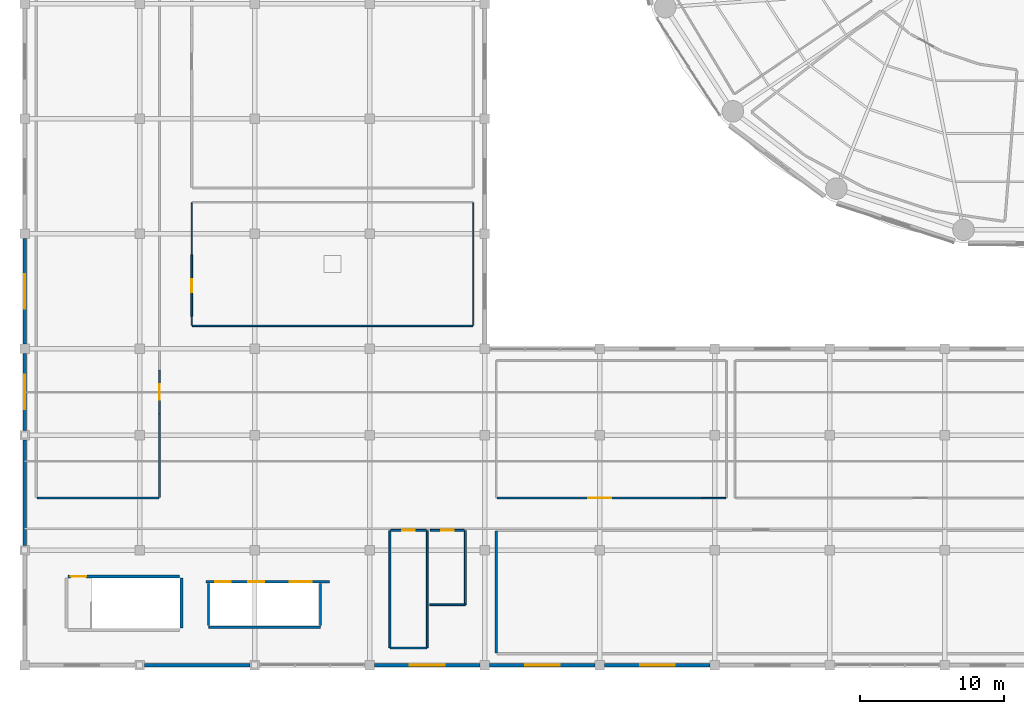
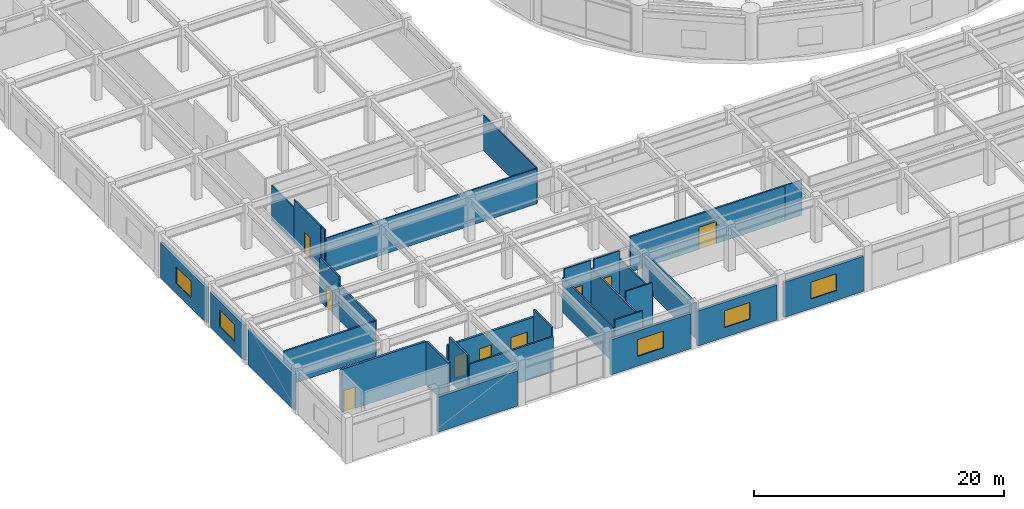
# One storey, part 34 of 46: 31 walls, 9 doors, 5 windows, 14 openings.
"""IFC4 building model written with IfcOpenShell, lengths in metres."""

from ifc_helpers import new_model, si_unit, direction, frame, frame_2d, origin, place, context, subcontext, project, spatial, rectangle, extrude, material, layer, layer_set, type_object, element, fill, save


model = new_model("IFC4")

# Units and contexts
model_context = context("Model", 3, precision=1e-05, world=origin(), true_north=direction((0.0, 1.0)))
body_context = subcontext(model_context, "Body", "Model", "MODEL_VIEW")
ifc_project = project(units=[si_unit("LENGTHUNIT", "METRE"), si_unit("AREAUNIT", "SQUARE_METRE"), si_unit("VOLUMEUNIT", "CUBIC_METRE"), si_unit("PLANEANGLEUNIT", "RADIAN"), si_unit("MASSUNIT", "GRAM", prefix="KILO")], contexts=[model_context])

# Site, building, storey
site_placement = place(None, origin())
site = spatial("IfcSite", under=ifc_project, at=site_placement, CompositionType="ELEMENT")
building_placement = place(site_placement, origin())
building = spatial("IfcBuilding", under=site, at=building_placement, Name="Kelanora Arch Commons", CompositionType="ELEMENT")
storey_placement = place(building_placement, frame((0.0, 0.0, 18.0)))
storey = spatial("IfcBuildingStorey", under=building, at=storey_placement, Name="L04", CompositionType="ELEMENT", Elevation=18.0)

# Walls
ifc_material_1 = material(Name="Autoclaved aerated concrete blockwork with fire plaster", Category="masonry")
ifc_layer_1 = layer(ifc_material_1, 0.14990234375)
ifc_layer_set_1 = layer_set([ifc_layer_1], Name="Autoclaved aerated concrete blockwork with fire plaster")
wall_type_1 = type_object("IfcWallType", Name="W-COMP-150", PredefinedType="PARTITIONING", material=ifc_layer_set_1)
wall_1_placement = place(storey_placement, frame((16.780029296875, 6.639892578125, 0.0), z_axis=(0.0, 0.0, 1.0), x_axis=(1.0, 0.0, 0.0)))
element("IfcWall", 1, at=wall_1_placement, inside=storey, type_object=wall_type_1, Name="Market South Lift Bank Back Wall L04", PredefinedType="PARTITIONING", context=body_context, shape_type="SweptSolid", body=[
    extrude(rectangle(XDim=7.7900390625, YDim=0.14990234375, at=frame_2d((3.89501953125, 0.0))), origin(), (0.0, 0.0, 1.0), 3.445068359375),
])
for number, where, z_axis, x_axis, name in (
    (2, (16.780029296875, 6.760009765625, 0.0), (0.0, 0.0, 1.0), (0.0, 1.0, 0.0), "Market South Lift Bank West Wall L04"),
    (3, (24.570068359375, 6.760009765625, 0.0), (0.0, 0.0, 1.0), (0.0, 1.0, 0.0), "Market South Lift Bank East Wall L04"),
):
    element("IfcWall", number, at=place(storey_placement, frame(where, z_axis=z_axis, x_axis=x_axis)), inside=storey, type_object=wall_type_1, Name=name, PredefinedType="PARTITIONING", context=body_context, shape_type="SweptSolid", body=[
        extrude(rectangle(XDim=2.909912109375, YDim=0.14990234375, at=frame_2d((1.455078125, 0.0))), origin(), (0.0, 0.0, 1.0), 4.25),
    ])

# Wall, opening, door
wall_2_placement = place(storey_placement, frame((36.860107421875, 15.6201171875, 0.0), z_axis=(0.0, 0.0, 1.0), x_axis=(1.0, 0.0, 0.0)))
wall_2 = element("IfcWall", 4, at=wall_2_placement, inside=storey, type_object=wall_type_1, Name="Civic Exhibition and Lecture Hall Entry Partition", PredefinedType="PARTITIONING", context=body_context, shape_type="SweptSolid", body=[
    extrude(rectangle(XDim=14.27978515625, YDim=0.14990234375, at=frame_2d((7.139892578125, 0.0))), origin(), (0.0, 0.0, 1.0), 3.445068359375),
])
opening_1_placement = place(wall_2_placement, frame((6.340087890625, 0.0, 0.0)))
opening_1 = element("IfcOpeningElement", 5, at=opening_1_placement, cuts=wall_2, Name="Opening D-MK1", PredefinedType="OPENING", context=body_context, shape_type="SweptSolid", body=[
    extrude(rectangle(XDim=1.60009765625, YDim=2.14990234375, at=frame_2d((0.800048828125, 1.074951171875))), frame((0.0, 0.0849609375, 0.0), z_axis=(0.0, -1.0, 0.0), x_axis=(1.0, 0.0, 0.0)), (0.0, 0.0, 1.0), 0.169921875),
])
ifc_material_2 = material(Name="Glazed timber double market hall fire door", Category="wood")
door_type_1 = type_object("IfcDoorType", Name="D-MKT-160", OperationType="NOTDEFINED", PredefinedType="DOOR", material=ifc_material_2)
door_1_placement = place(opening_1_placement, origin())
door_1 = element("IfcDoor", 6, at=door_1_placement, inside=storey, type_object=door_type_1, Name="Civic Exhibition and Lecture Hall Door", OperationType="SINGLE_SWING_RIGHT", OverallHeight=2.14990234375, OverallWidth=1.60009765625, PredefinedType="DOOR", context=body_context, shape_type="SweptSolid", body=[
    extrude(rectangle(XDim=1.60009765625, YDim=2.14990234375, at=frame_2d((0.800048828125, 1.074951171875))), frame((0.0, 0.02490234375, 0.0), z_axis=(0.0, -1.0, 0.0), x_axis=(1.0, 0.0, 0.0)), (0.0, 0.0, 1.0), 0.050048828125),
])
fill(opening_1, door_1)

wall_3_placement = place(storey_placement, frame((13.3798828125, 21.4599609375, 0.0), z_axis=(0.0, 0.0, 1.0), x_axis=(0.0, 1.0, 0.0)))
wall_3 = element("IfcWall", 7, at=wall_3_placement, inside=storey, type_object=wall_type_1, Name="Market West Mechanical Plant and Store L04 Entry Partition", PredefinedType="PARTITIONING", context=body_context, shape_type="SweptSolid", body=[
    extrude(rectangle(XDim=3.080078125, YDim=0.14990234375, at=frame_2d((1.5400390625, 0.0))), origin(), (0.0, 0.0, 1.0), 4.22998046875),
])
opening_2_placement = place(wall_3_placement, frame((1.0, 0.0, 0.0)))
opening_2 = element("IfcOpeningElement", 8, at=opening_2_placement, cuts=wall_3, Name="Opening D-PLT1", PredefinedType="OPENING", context=body_context, shape_type="SweptSolid", body=[
    extrude(rectangle(XDim=1.080078125, YDim=2.10009765625, at=frame_2d((0.5400390625, 1.050048828125))), frame((0.0, 0.0849609375, 0.0), z_axis=(0.0, -1.0, 0.0), x_axis=(1.0, 0.0, 0.0)), (0.0, 0.0, 1.0), 0.169921875),
])
ifc_material_3 = material(Name="Galvanised steel plant and riser fire door", Category="steel")
door_type_2 = type_object("IfcDoorType", Name="D-PLT-110", OperationType="NOTDEFINED", PredefinedType="DOOR", material=ifc_material_3)
door_2_placement = place(opening_2_placement, origin())
door_2 = element("IfcDoor", 9, at=door_2_placement, inside=storey, type_object=door_type_2, Name="Market West Mechanical Plant and Store L04 Door", OperationType="SINGLE_SWING_LEFT", OverallHeight=2.10009765625, OverallWidth=1.080078125, PredefinedType="DOOR", context=body_context, shape_type="SweptSolid", body=[
    extrude(rectangle(XDim=1.080078125, YDim=2.10009765625, at=frame_2d((0.5400390625, 1.050048828125))), frame((0.0, 0.02490234375, 0.0), z_axis=(0.0, -1.0, 0.0), x_axis=(1.0, 0.0, 0.0)), (0.0, 0.0, 1.0), 0.050048828125),
])
fill(opening_2, door_2)

# Walls
for number, where, z_axis, x_axis, name in (
    (10, (36.800048828125, 13.340087890625, 0.0), (0.0, 0.0, 1.0), (0.0, -1.0, 0.0), "Market South Archive and Cold Store L04 Enclosure Partition 4"),
    (11, (4.840087890625, 15.6201171875, 0.0), (0.0, 0.0, 1.0), (1.0, 0.0, 0.0), "Market West Mechanical Plant and Store L04 Enclosure Partition 1"),
):
    element("IfcWall", number, at=place(storey_placement, frame(where, z_axis=z_axis, x_axis=x_axis)), inside=storey, type_object=wall_type_1, Name=name, PredefinedType="PARTITIONING", context=body_context, shape_type="SweptSolid", body=[
        extrude(rectangle(XDim=8.5, YDim=0.14990234375, at=frame_2d((4.25, 0.0))), origin(), (0.0, 0.0, 1.0), 3.445068359375),
    ])
wall_4_placement = place(storey_placement, frame((13.3798828125, 15.659912109375, 0.0), z_axis=(0.0, 0.0, 1.0), x_axis=(0.0, 1.0, 0.0)))
element("IfcWall", 12, at=wall_4_placement, inside=storey, type_object=wall_type_1, Name="Market West Mechanical Plant and Store L04 Enclosure Partition 2", PredefinedType="PARTITIONING", context=body_context, shape_type="SweptSolid", body=[
    extrude(rectangle(XDim=5.800048828125, YDim=0.14990234375, at=frame_2d((2.89990234375, 0.0))), origin(), (0.0, 0.0, 1.0), 3.445068359375),
])
ifc_material_4 = material(Name="Precast concrete C40/50 with terracotta ceramic cladding", Category="masonry")
ifc_layer_2 = layer(ifc_material_4, 0.25)
ifc_layer_set_2 = layer_set([ifc_layer_2], Name="Precast concrete C40/50 with terracotta ceramic cladding")
wall_type_2 = type_object("IfcWallType", Name="W-EXT-MKT", PredefinedType="SOLIDWALL", material=ifc_layer_set_2)
wall_5_placement = place(storey_placement, frame((12.330078125, 4.0, 0.0), z_axis=(0.0, 0.0, 1.0), x_axis=(1.0, 0.0, 0.0)))
element("IfcWall", 13, at=wall_5_placement, inside=storey, type_object=wall_type_2, Name="Market Hall Exterior Wall L04-01", PredefinedType="SOLIDWALL", context=body_context, shape_type="SweptSolid", body=[
    extrude(rectangle(XDim=7.33984375, YDim=0.25, at=frame_2d((3.669921875, 0.0))), origin(), (0.0, 0.0, 1.0), 3.43994140625),
])

# Wall, opening, window
wall_6_placement = place(storey_placement, frame((28.330078125, 4.0, 0.0), z_axis=(0.0, 0.0, 1.0), x_axis=(1.0, 0.0, 0.0)))
wall_6 = element("IfcWall", 14, at=wall_6_placement, inside=storey, type_object=wall_type_2, Name="Market Hall Exterior Wall L04-03", PredefinedType="SOLIDWALL", context=body_context, shape_type="SweptSolid", body=[
    extrude(rectangle(XDim=7.33984375, YDim=0.25, at=frame_2d((3.669921875, 0.0))), origin(), (0.0, 0.0, 1.0), 3.43994140625),
])
opening_3_placement = place(wall_6_placement, frame((2.469970703125, 0.0, 0.949951171875)))
opening_3 = element("IfcOpeningElement", 15, at=opening_3_placement, cuts=wall_6, Name="Opening WN-03", PredefinedType="OPENING", context=body_context, shape_type="SweptSolid", body=[
    extrude(rectangle(XDim=2.39990234375, YDim=1.64990234375, at=frame_2d((1.199951171875, 0.824951171875))), frame((0.0, 0.135009765625, 0.0), z_axis=(0.0, -1.0, 0.0), x_axis=(1.0, 0.0, 0.0)), (0.0, 0.0, 1.0), 0.27001953125),
])
ifc_material_5 = material(Name="Bronze-terracotta aluminium monsoon clerestory window", Category="masonry")
window_type = type_object("IfcWindowType", Name="WIN-MKT-24", PartitioningType="TRIPLE_PANEL_VERTICAL", PredefinedType="WINDOW", material=ifc_material_5)
window_1_placement = place(opening_3_placement, origin())
window_1 = element("IfcWindow", 16, at=window_1_placement, inside=storey, type_object=window_type, Name="Market Hall Clerestory Window L04-03", OverallHeight=1.64990234375, OverallWidth=2.39990234375, PartitioningType="SINGLE_PANEL", PredefinedType="WINDOW", context=body_context, shape_type="SweptSolid", body=[
    extrude(rectangle(XDim=2.39990234375, YDim=1.64990234375, at=frame_2d((1.199951171875, 0.824951171875))), frame((0.0, 0.030029296875, 0.0), z_axis=(0.0, -1.0, 0.0), x_axis=(1.0, 0.0, 0.0)), (0.0, 0.0, 1.0), 0.06005859375),
])
fill(opening_3, window_1)

wall_7_placement = place(storey_placement, frame((36.330078125, 4.0, 0.0), z_axis=(0.0, 0.0, 1.0), x_axis=(1.0, 0.0, 0.0)))
wall_7 = element("IfcWall", 17, at=wall_7_placement, inside=storey, type_object=wall_type_2, Name="Market Hall Exterior Wall L04-04", PredefinedType="SOLIDWALL", context=body_context, shape_type="SweptSolid", body=[
    extrude(rectangle(XDim=7.33984375, YDim=0.25, at=frame_2d((3.669921875, 0.0))), origin(), (0.0, 0.0, 1.0), 3.43994140625),
])
opening_4_placement = place(wall_7_placement, frame((2.469970703125, 0.0, 0.949951171875)))
opening_4 = element("IfcOpeningElement", 18, at=opening_4_placement, cuts=wall_7, Name="Opening WN-03", PredefinedType="OPENING", context=body_context, shape_type="SweptSolid", body=[
    extrude(rectangle(XDim=2.39990234375, YDim=1.64990234375, at=frame_2d((1.199951171875, 0.824951171875))), frame((0.0, 0.135009765625, 0.0), z_axis=(0.0, -1.0, 0.0), x_axis=(1.0, 0.0, 0.0)), (0.0, 0.0, 1.0), 0.27001953125),
])
window_2_placement = place(opening_4_placement, origin())
window_2 = element("IfcWindow", 19, at=window_2_placement, inside=storey, type_object=window_type, Name="Market Hall Clerestory Window L04-04", OverallHeight=1.64990234375, OverallWidth=2.39990234375, PartitioningType="SINGLE_PANEL", PredefinedType="WINDOW", context=body_context, shape_type="SweptSolid", body=[
    extrude(rectangle(XDim=2.39990234375, YDim=1.64990234375, at=frame_2d((1.199951171875, 0.824951171875))), frame((0.0, 0.030029296875, 0.0), z_axis=(0.0, -1.0, 0.0), x_axis=(1.0, 0.0, 0.0)), (0.0, 0.0, 1.0), 0.06005859375),
])
fill(opening_4, window_2)

wall_8_placement = place(storey_placement, frame((44.330078125, 4.0, 0.0), z_axis=(0.0, 0.0, 1.0), x_axis=(1.0, 0.0, 0.0)))
wall_8 = element("IfcWall", 20, at=wall_8_placement, inside=storey, type_object=wall_type_2, Name="Market Hall Exterior Wall L04-05", PredefinedType="SOLIDWALL", context=body_context, shape_type="SweptSolid", body=[
    extrude(rectangle(XDim=7.33984375, YDim=0.25, at=frame_2d((3.669921875, 0.0))), origin(), (0.0, 0.0, 1.0), 3.43994140625),
])
opening_5_placement = place(wall_8_placement, frame((2.469970703125, 0.0, 0.949951171875)))
opening_5 = element("IfcOpeningElement", 21, at=opening_5_placement, cuts=wall_8, Name="Opening WN-03", PredefinedType="OPENING", context=body_context, shape_type="SweptSolid", body=[
    extrude(rectangle(XDim=2.39990234375, YDim=1.64990234375, at=frame_2d((1.199951171875, 0.824951171875))), frame((0.0, 0.135009765625, 0.0), z_axis=(0.0, -1.0, 0.0), x_axis=(1.0, 0.0, 0.0)), (0.0, 0.0, 1.0), 0.27001953125),
])
window_3_placement = place(opening_5_placement, origin())
window_3 = element("IfcWindow", 22, at=window_3_placement, inside=storey, type_object=window_type, Name="Market Hall Clerestory Window L04-05", OverallHeight=1.64990234375, OverallWidth=2.39990234375, PartitioningType="SINGLE_PANEL", PredefinedType="WINDOW", context=body_context, shape_type="SweptSolid", body=[
    extrude(rectangle(XDim=2.39990234375, YDim=1.64990234375, at=frame_2d((1.199951171875, 0.824951171875))), frame((0.0, 0.030029296875, 0.0), z_axis=(0.0, -1.0, 0.0), x_axis=(1.0, 0.0, 0.0)), (0.0, 0.0, 1.0), 0.06005859375),
])
fill(opening_5, window_3)

wall_9_placement = place(storey_placement, frame((4.0, 33.669921875, 0.0), z_axis=(0.0, 0.0, 1.0), x_axis=(0.0, -1.0, 0.0)))
wall_9 = element("IfcWall", 23, at=wall_9_placement, inside=storey, type_object=wall_type_2, Name="Market Hall Exterior Wall L04-40", PredefinedType="SOLIDWALL", context=body_context, shape_type="SweptSolid", body=[
    extrude(rectangle(XDim=7.33984375, YDim=0.25, at=frame_2d((3.669921875, 0.0))), origin(), (0.0, 0.0, 1.0), 3.43994140625),
])
opening_6_placement = place(wall_9_placement, frame((2.469970703125, 0.0, 0.949951171875)))
opening_6 = element("IfcOpeningElement", 24, at=opening_6_placement, cuts=wall_9, Name="Opening WN-03", PredefinedType="OPENING", context=body_context, shape_type="SweptSolid", body=[
    extrude(rectangle(XDim=2.39990234375, YDim=1.64990234375, at=frame_2d((1.199951171875, 0.824951171875))), frame((0.0, 0.135009765625, 0.0), z_axis=(0.0, -1.0, 0.0), x_axis=(1.0, 0.0, 0.0)), (0.0, 0.0, 1.0), 0.27001953125),
])
window_4_placement = place(opening_6_placement, origin())
window_4 = element("IfcWindow", 25, at=window_4_placement, inside=storey, type_object=window_type, Name="Market Hall Clerestory Window L04-40", OverallHeight=1.64990234375, OverallWidth=2.39990234375, PartitioningType="SINGLE_PANEL", PredefinedType="WINDOW", context=body_context, shape_type="SweptSolid", body=[
    extrude(rectangle(XDim=2.39990234375, YDim=1.64990234375, at=frame_2d((1.199951171875, 0.824951171875))), frame((0.0, 0.030029296875, 0.0), z_axis=(0.0, -1.0, 0.0), x_axis=(1.0, 0.0, 0.0)), (0.0, 0.0, 1.0), 0.06005859375),
])
fill(opening_6, window_4)

wall_10_placement = place(storey_placement, frame((4.0, 25.669921875, 0.0), z_axis=(0.0, 0.0, 1.0), x_axis=(0.0, -1.0, 0.0)))
wall_10 = element("IfcWall", 26, at=wall_10_placement, inside=storey, type_object=wall_type_2, Name="Market Hall Exterior Wall L04-41", PredefinedType="SOLIDWALL", context=body_context, shape_type="SweptSolid", body=[
    extrude(rectangle(XDim=5.33984375, YDim=0.25, at=frame_2d((2.669921875, 0.0))), origin(), (0.0, 0.0, 1.0), 3.43994140625),
])
opening_7_placement = place(wall_10_placement, frame((1.469970703125, 0.0, 0.949951171875)))
opening_7 = element("IfcOpeningElement", 27, at=opening_7_placement, cuts=wall_10, Name="Opening WN-03", PredefinedType="OPENING", context=body_context, shape_type="SweptSolid", body=[
    extrude(rectangle(XDim=2.39990234375, YDim=1.64990234375, at=frame_2d((1.199951171875, 0.824951171875))), frame((0.0, 0.135009765625, 0.0), z_axis=(0.0, -1.0, 0.0), x_axis=(1.0, 0.0, 0.0)), (0.0, 0.0, 1.0), 0.27001953125),
])
window_5_placement = place(opening_7_placement, origin())
window_5 = element("IfcWindow", 28, at=window_5_placement, inside=storey, type_object=window_type, Name="Market Hall Clerestory Window L04-41", OverallHeight=1.64990234375, OverallWidth=2.39990234375, PartitioningType="SINGLE_PANEL", PredefinedType="WINDOW", context=body_context, shape_type="SweptSolid", body=[
    extrude(rectangle(XDim=2.39990234375, YDim=1.64990234375, at=frame_2d((1.199951171875, 0.824951171875))), frame((0.0, 0.030029296875, 0.0), z_axis=(0.0, -1.0, 0.0), x_axis=(1.0, 0.0, 0.0)), (0.0, 0.0, 1.0), 0.06005859375),
])
fill(opening_7, window_5)

# Wall
wall_11_placement = place(storey_placement, frame((4.0, 19.669921875, 0.0), z_axis=(0.0, 0.0, 1.0), x_axis=(0.0, -1.0, 0.0)))
element("IfcWall", 29, at=wall_11_placement, inside=storey, type_object=wall_type_2, Name="Market Hall Exterior Wall L04-42", PredefinedType="SOLIDWALL", context=body_context, shape_type="SweptSolid", body=[
    extrude(rectangle(XDim=7.33984375, YDim=0.25, at=frame_2d((3.669921875, 0.0))), origin(), (0.0, 0.0, 1.0), 3.43994140625),
])

# Wall, openings, doors
ifc_material_6 = material(Name="Concrete C40/50", Category="concrete")
ifc_layer_3 = layer(ifc_material_6, 0.199951171875)
ifc_layer_set_3 = layer_set([ifc_layer_3], Name="Concrete C40/50")
wall_type_3 = type_object("IfcWallType", Name="W-FFL-200", PredefinedType="SOLIDWALL", material=ifc_layer_set_3)
wall_12_placement = place(storey_placement, frame((16.60009765625, 9.800048828125, 0.0), z_axis=(0.0, 0.0, 1.0), x_axis=(1.0, 0.0, 0.0)))
wall_12 = element("IfcWall", 30, at=wall_12_placement, inside=storey, type_object=wall_type_3, Name="Market South Lift Shaft Front L04", PredefinedType="SOLIDWALL", context=body_context, shape_type="SweptSolid", body=[
    extrude(rectangle(XDim=8.599853515625, YDim=0.199951171875, at=frame_2d((4.2998046875, 0.0))), origin(), (0.0, 0.0, 1.0), 3.445068359375),
])
opening_8_placement = place(wall_12_placement, frame((0.64990234375, 0.0, 0.0)))
opening_8 = element("IfcOpeningElement", 31, at=opening_8_placement, cuts=wall_12, Name="Opening LD-01", PredefinedType="OPENING", context=body_context, shape_type="SweptSolid", body=[
    extrude(rectangle(XDim=1.10009765625, YDim=2.10009765625, at=frame_2d((0.550048828125, 1.050048828125))), frame((0.0, 0.10986328125, 0.0), z_axis=(0.0, -1.0, 0.0), x_axis=(1.0, 0.0, 0.0)), (0.0, 0.0, 1.0), 0.219970703125),
])
opening_9_placement = place(wall_12_placement, frame((2.949951171875, 0.0, 0.0)))
opening_9 = element("IfcOpeningElement", 32, at=opening_9_placement, cuts=wall_12, Name="Opening LD-01", PredefinedType="OPENING", context=body_context, shape_type="SweptSolid", body=[
    extrude(rectangle(XDim=1.10009765625, YDim=2.10009765625, at=frame_2d((0.550048828125, 1.050048828125))), frame((0.0, 0.10986328125, 0.0), z_axis=(0.0, -1.0, 0.0), x_axis=(1.0, 0.0, 0.0)), (0.0, 0.0, 1.0), 0.219970703125),
])
opening_10_placement = place(wall_12_placement, frame((5.824951171875, 0.0, 0.0)))
opening_10 = element("IfcOpeningElement", 33, at=opening_10_placement, cuts=wall_12, Name="Opening LD-GD", PredefinedType="OPENING", context=body_context, shape_type="SweptSolid", body=[
    extrude(rectangle(XDim=1.550048828125, YDim=2.199951171875, at=frame_2d((0.77490234375, 1.10009765625))), frame((0.0, 0.10986328125, 0.0), z_axis=(0.0, -1.0, 0.0), x_axis=(1.0, 0.0, 0.0)), (0.0, 0.0, 1.0), 0.219970703125),
])
ifc_material_7 = material(Name="Stainless steel passenger lift sliding landing door", Category="steel")
door_type_3 = type_object("IfcDoorType", Name="D-LIFT-110", OperationType="NOTDEFINED", PredefinedType="DOOR", material=ifc_material_7)
door_3_placement = place(opening_8_placement, origin())
door_3 = element("IfcDoor", 34, at=door_3_placement, inside=storey, type_object=door_type_3, Name="Market Lift LF-MP1 Landing Door L04", OperationType="DOUBLE_DOOR_SLIDING", OverallHeight=2.10009765625, OverallWidth=1.10009765625, PredefinedType="DOOR", context=body_context, shape_type="SweptSolid", body=[
    extrude(rectangle(XDim=1.10009765625, YDim=2.10009765625, at=frame_2d((0.550048828125, 1.050048828125))), frame((0.0, 0.02490234375, 0.0), z_axis=(0.0, -1.0, 0.0), x_axis=(1.0, 0.0, 0.0)), (0.0, 0.0, 1.0), 0.050048828125),
])
fill(opening_8, door_3)
door_4_placement = place(opening_9_placement, origin())
door_4 = element("IfcDoor", 35, at=door_4_placement, inside=storey, type_object=door_type_3, Name="Market Lift LF-MP2 Landing Door L04", OperationType="DOUBLE_DOOR_SLIDING", OverallHeight=2.10009765625, OverallWidth=1.10009765625, PredefinedType="DOOR", context=body_context, shape_type="SweptSolid", body=[
    extrude(rectangle(XDim=1.10009765625, YDim=2.10009765625, at=frame_2d((0.550048828125, 1.050048828125))), frame((0.0, 0.02490234375, 0.0), z_axis=(0.0, -1.0, 0.0), x_axis=(1.0, 0.0, 0.0)), (0.0, 0.0, 1.0), 0.050048828125),
])
fill(opening_9, door_4)
ifc_material_8 = material(Name="Heavy-duty goods lift bi-parting sliding landing door")
door_type_4 = type_object("IfcDoorType", Name="D-LIFT-GDS", OperationType="NOTDEFINED", PredefinedType="DOOR", material=ifc_material_8)
door_5_placement = place(opening_10_placement, origin())
door_5 = element("IfcDoor", 36, at=door_5_placement, inside=storey, type_object=door_type_4, Name="Market Lift LF-MG1 Landing Door L04", OperationType="DOUBLE_DOOR_SLIDING", OverallHeight=2.199951171875, OverallWidth=1.550048828125, PredefinedType="DOOR", context=body_context, shape_type="SweptSolid", body=[
    extrude(rectangle(XDim=1.550048828125, YDim=2.199951171875, at=frame_2d((0.77490234375, 1.10009765625))), frame((0.0, 0.02490234375, 0.0), z_axis=(0.0, -1.0, 0.0), x_axis=(1.0, 0.0, 0.0)), (0.0, 0.0, 1.0), 0.050048828125),
])
fill(opening_10, door_5)

# Walls
ifc_material_9 = material(Name="Lightweight fire-rated acoustic stud partition")
ifc_layer_4 = layer(ifc_material_9, 0.10009765625)
ifc_layer_set_4 = layer_set([ifc_layer_4], Name="Lightweight fire-rated acoustic stud partition")
wall_type_4 = type_object("IfcWallType", Name="W-PART-100", PredefinedType="PARTITIONING", material=ifc_layer_set_4)
wall_13_placement = place(storey_placement, frame((51.139892578125, 15.6201171875, 0.0), z_axis=(0.0, 0.0, 1.0), x_axis=(1.0, 0.0, 0.0)))
element("IfcWall", 37, at=wall_13_placement, inside=storey, type_object=wall_type_4, Name="Civic Exhibition and Lecture Hall Enclosure Partition 1", PredefinedType="PARTITIONING", context=body_context, shape_type="SweptSolid", body=[
    extrude(rectangle(XDim=1.6201171875, YDim=0.10009765625, at=frame_2d((0.81005859375, 0.0))), origin(), (0.0, 0.0, 1.0), 3.445068359375),
])
wall_14_placement = place(storey_placement, frame((15.659912109375, 27.60009765625, 0.0), z_axis=(0.0, 0.0, 1.0), x_axis=(1.0, 0.0, 0.0)))
element("IfcWall", 38, at=wall_14_placement, inside=storey, type_object=wall_type_4, Name="Market Rooftop Conservatory Cafe Enclosure Partition 1", PredefinedType="PARTITIONING", context=body_context, shape_type="SweptSolid", body=[
    extrude(rectangle(XDim=19.5, YDim=0.10009765625, at=frame_2d((9.75, 0.0))), origin(), (0.0, 0.0, 1.0), 3.445068359375),
])
wall_15_placement = place(storey_placement, frame((35.199951171875, 27.639892578125, 0.0), z_axis=(0.0, 0.0, 1.0), x_axis=(0.0, 1.0, 0.0)))
element("IfcWall", 39, at=wall_15_placement, inside=storey, type_object=wall_type_4, Name="Market Rooftop Conservatory Cafe Enclosure Partition 2", PredefinedType="PARTITIONING", context=body_context, shape_type="SweptSolid", body=[
    extrude(rectangle(XDim=8.52001953125, YDim=0.10009765625, at=frame_2d((4.260009765625, 0.0))), origin(), (0.0, 0.0, 1.0), 3.445068359375),
])
wall_16_placement = place(storey_placement, frame((15.6201171875, 36.159912109375, 0.0), z_axis=(0.0, 0.0, 1.0), x_axis=(0.0, -1.0, 0.0)))
element("IfcWall", 40, at=wall_16_placement, inside=storey, type_object=wall_type_4, Name="Market Rooftop Conservatory Cafe Enclosure Partition 4", PredefinedType="PARTITIONING", context=body_context, shape_type="SweptSolid", body=[
    extrude(rectangle(XDim=3.619873046875, YDim=0.10009765625, at=frame_2d((1.81005859375, 0.0))), origin(), (0.0, 0.0, 1.0), 3.445068359375),
])
wall_17_placement = place(storey_placement, frame((15.6201171875, 28.260009765625, 0.0), z_axis=(0.0, 0.0, 1.0), x_axis=(0.0, -1.0, 0.0)))
element("IfcWall", 41, at=wall_17_placement, inside=storey, type_object=wall_type_4, Name="Market Rooftop Conservatory Cafe Enclosure Partition 4", PredefinedType="PARTITIONING", context=body_context, shape_type="SweptSolid", body=[
    extrude(rectangle(XDim=0.6201171875, YDim=0.10009765625, at=frame_2d((0.31005859375, 0.0))), origin(), (0.0, 0.0, 1.0), 4.22998046875),
])

# Wall, opening, door
ifc_material_10 = material(Name="Acoustic twin-stud fire-rated gypsum partition")
ifc_layer_5 = layer(ifc_material_10, 0.1201171875)
ifc_layer_set_5 = layer_set([ifc_layer_5], Name="Acoustic twin-stud fire-rated gypsum partition")
wall_type_5 = type_object("IfcWallType", Name="W-PART-120", PredefinedType="PARTITIONING", material=ifc_layer_set_5)
wall_18_placement = place(storey_placement, frame((15.6201171875, 28.260009765625, 0.0), z_axis=(0.0, 0.0, 1.0), x_axis=(0.0, 1.0, 0.0)))
wall_18 = element("IfcWall", 42, at=wall_18_placement, inside=storey, type_object=wall_type_5, Name="Market Rooftop Conservatory Cafe Entry Partition", PredefinedType="PARTITIONING", context=body_context, shape_type="SweptSolid", body=[
    extrude(rectangle(XDim=4.280029296875, YDim=0.1201171875, at=frame_2d((2.14013671875, 0.0))), origin(), (0.0, 0.0, 1.0), 4.22998046875),
])
opening_11_placement = place(wall_18_placement, frame((1.68994140625, 0.0, 0.0)))
opening_11 = element("IfcOpeningElement", 43, at=opening_11_placement, cuts=wall_18, Name="Opening D-RM1", PredefinedType="OPENING", context=body_context, shape_type="SweptSolid", body=[
    extrude(rectangle(XDim=0.89990234375, YDim=2.080078125, at=frame_2d((0.449951171875, 1.0400390625))), frame((0.0, 0.070068359375, 0.0), z_axis=(0.0, -1.0, 0.0), x_axis=(1.0, 0.0, 0.0)), (0.0, 0.0, 1.0), 0.14013671875),
])
ifc_material_11 = material(Name="Acoustic fire-rated timber study and lounge door", Category="wood")
door_type_5 = type_object("IfcDoorType", Name="D-ROOM-90", OperationType="NOTDEFINED", PredefinedType="DOOR", material=ifc_material_11)
door_6_placement = place(opening_11_placement, origin())
door_6 = element("IfcDoor", 44, at=door_6_placement, inside=storey, type_object=door_type_5, Name="Market Rooftop Conservatory Cafe Door", OperationType="SINGLE_SWING_RIGHT", OverallHeight=2.080078125, OverallWidth=0.89990234375, PredefinedType="DOOR", context=body_context, shape_type="SweptSolid", body=[
    extrude(rectangle(XDim=0.89990234375, YDim=2.080078125, at=frame_2d((0.449951171875, 1.0400390625))), frame((0.0, 0.02490234375, 0.0), z_axis=(0.0, -1.0, 0.0), x_axis=(1.0, 0.0, 0.0)), (0.0, 0.0, 1.0), 0.050048828125),
])
fill(opening_11, door_6)

# Wall
ifc_layer_6 = layer(ifc_material_6, 0.199951171875)
ifc_layer_set_6 = layer_set([ifc_layer_6], Name="Concrete C40/50")
wall_type_6 = type_object("IfcWallType", Name="W-STAIR-200", PredefinedType="SHEAR", material=ifc_layer_set_6)
wall_19_placement = place(storey_placement, frame((14.89990234375, 6.580078125, 0.0), z_axis=(0.0, 0.0, 1.0), x_axis=(0.0, 1.0, 0.0)))
element("IfcWall", 45, at=wall_19_placement, inside=storey, type_object=wall_type_6, Name="Stair ST-M1 Shaft Wall E L04", PredefinedType="SHEAR", context=body_context, shape_type="SweptSolid", body=[
    extrude(rectangle(XDim=3.469970703125, YDim=0.199951171875, at=frame_2d((1.73486328125, 0.0))), origin(), (0.0, 0.0, 1.0), 4.260009765625),
])

# Wall, opening, door
wall_20_placement = place(storey_placement, frame((14.780029296875, 10.169921875, 0.0), z_axis=(0.0, 0.0, 1.0), x_axis=(-1.0, 0.0, 0.0)))
wall_20 = element("IfcWall", 46, at=wall_20_placement, inside=storey, type_object=wall_type_6, Name="Stair ST-M1 Shaft Wall N L04", PredefinedType="SHEAR", context=body_context, shape_type="SweptSolid", body=[
    extrude(rectangle(XDim=7.760009765625, YDim=0.199951171875, at=frame_2d((3.8798828125, 0.0))), origin(), (0.0, 0.0, 1.0), 4.260009765625),
])
opening_12_placement = place(wall_20_placement, frame((6.510009765625, 0.0, 0.0)))
opening_12 = element("IfcOpeningElement", 47, at=opening_12_placement, cuts=wall_20, Name="Opening D-ST1", PredefinedType="OPENING", context=body_context, shape_type="SweptSolid", body=[
    extrude(rectangle(XDim=1.050048828125, YDim=2.10009765625, at=frame_2d((0.52490234375, 1.050048828125))), frame((0.0, 0.10986328125, 0.0), z_axis=(0.0, -1.0, 0.0), x_axis=(1.0, 0.0, 0.0)), (0.0, 0.0, 1.0), 0.219970703125),
])
ifc_material_12 = material(Name="Steel fire-rated stairwell escape door", Category="steel")
door_type_6 = type_object("IfcDoorType", Name="D-STAIR-110", OperationType="NOTDEFINED", PredefinedType="DOOR", material=ifc_material_12)
door_7_placement = place(opening_12_placement, origin())
door_7 = element("IfcDoor", 48, at=door_7_placement, inside=storey, type_object=door_type_6, Name="Stair ST-M1 Escape Door L04", OperationType="SINGLE_SWING_RIGHT", OverallHeight=2.10009765625, OverallWidth=1.050048828125, PredefinedType="DOOR", context=body_context, shape_type="SweptSolid", body=[
    extrude(rectangle(XDim=1.050048828125, YDim=2.10009765625, at=frame_2d((0.52490234375, 1.050048828125))), frame((0.0, 0.02490234375, 0.0), z_axis=(0.0, -1.0, 0.0), x_axis=(1.0, 0.0, 0.0)), (0.0, 0.0, 1.0), 0.050048828125),
])
fill(opening_12, door_7)

ifc_material_13 = material(Name="Moisture-resistant fire-rated cement-board plumbing wall")
ifc_layer_7 = layer(ifc_material_13, 0.1298828125)
ifc_layer_set_7 = layer_set([ifc_layer_7], Name="Moisture-resistant fire-rated cement-board plumbing wall")
wall_type_7 = type_object("IfcWallType", Name="W-WET-120", PredefinedType="PLUMBINGWALL", material=ifc_layer_set_7)
wall_21_placement = place(storey_placement, frame((29.4599609375, 13.3798828125, 0.0), z_axis=(0.0, 0.0, 1.0), x_axis=(1.0, 0.0, 0.0)))
wall_21 = element("IfcWall", 49, at=wall_21_placement, inside=storey, type_object=wall_type_7, Name="Market Public Toilets L04 Entry Partition", PredefinedType="PLUMBINGWALL", context=body_context, shape_type="SweptSolid", body=[
    extrude(rectangle(XDim=2.47998046875, YDim=0.1298828125, at=frame_2d((1.239990234375, 0.0))), origin(), (0.0, 0.0, 1.0), 4.22998046875),
])
opening_13_placement = place(wall_21_placement, frame((0.81005859375, 0.0, 0.0)))
opening_13 = element("IfcOpeningElement", 50, at=opening_13_placement, cuts=wall_21, Name="Opening D-BT1", PredefinedType="OPENING", context=body_context, shape_type="SweptSolid", body=[
    extrude(rectangle(XDim=0.860107421875, YDim=2.050048828125, at=frame_2d((0.43017578125, 1.02490234375))), frame((0.0, 0.074951171875, 0.0), z_axis=(0.0, -1.0, 0.0), x_axis=(1.0, 0.0, 0.0)), (0.0, 0.0, 1.0), 0.14990234375),
])
ifc_material_14 = material(Name="Moisture-sealed fire-rated accessible bathroom door")
door_type_7 = type_object("IfcDoorType", Name="D-BATH-85", OperationType="NOTDEFINED", PredefinedType="DOOR", material=ifc_material_14)
door_8_placement = place(opening_13_placement, origin())
door_8 = element("IfcDoor", 51, at=door_8_placement, inside=storey, type_object=door_type_7, Name="Market Public Toilets L04 Door", OperationType="SINGLE_SWING_RIGHT", OverallHeight=2.050048828125, OverallWidth=0.860107421875, PredefinedType="DOOR", context=body_context, shape_type="SweptSolid", body=[
    extrude(rectangle(XDim=0.860107421875, YDim=2.050048828125, at=frame_2d((0.43017578125, 1.02490234375))), frame((0.0, 0.02490234375, 0.0), z_axis=(0.0, -1.0, 0.0), x_axis=(1.0, 0.0, 0.0)), (0.0, 0.0, 1.0), 0.050048828125),
])
fill(opening_13, door_8)

wall_22_placement = place(storey_placement, frame((32.2099609375, 13.3798828125, 0.0), z_axis=(0.0, 0.0, 1.0), x_axis=(1.0, 0.0, 0.0)))
wall_22 = element("IfcWall", 52, at=wall_22_placement, inside=storey, type_object=wall_type_7, Name="Market Accessible WC L04 Entry Partition", PredefinedType="PLUMBINGWALL", context=body_context, shape_type="SweptSolid", body=[
    extrude(rectangle(XDim=2.380126953125, YDim=0.1298828125, at=frame_2d((1.18994140625, 0.0))), origin(), (0.0, 0.0, 1.0), 4.22998046875),
])
opening_14_placement = place(wall_22_placement, frame((0.760009765625, 0.0, 0.0)))
opening_14 = element("IfcOpeningElement", 53, at=opening_14_placement, cuts=wall_22, Name="Opening D-BT1", PredefinedType="OPENING", context=body_context, shape_type="SweptSolid", body=[
    extrude(rectangle(XDim=0.860107421875, YDim=2.050048828125, at=frame_2d((0.43017578125, 1.02490234375))), frame((0.0, 0.074951171875, 0.0), z_axis=(0.0, -1.0, 0.0), x_axis=(1.0, 0.0, 0.0)), (0.0, 0.0, 1.0), 0.14990234375),
])
door_9_placement = place(opening_14_placement, origin())
door_9 = element("IfcDoor", 54, at=door_9_placement, inside=storey, type_object=door_type_7, Name="Market Accessible WC L04 Door", OperationType="SINGLE_SWING_LEFT", OverallHeight=2.050048828125, OverallWidth=0.860107421875, PredefinedType="DOOR", context=body_context, shape_type="SweptSolid", body=[
    extrude(rectangle(XDim=0.860107421875, YDim=2.050048828125, at=frame_2d((0.43017578125, 1.02490234375))), frame((0.0, 0.02490234375, 0.0), z_axis=(0.0, -1.0, 0.0), x_axis=(1.0, 0.0, 0.0)), (0.0, 0.0, 1.0), 0.050048828125),
])
fill(opening_14, door_9)

# Walls
wall_23_placement = place(storey_placement, frame((29.419921875, 5.199951171875, 0.0), z_axis=(0.0, 0.0, 1.0), x_axis=(1.0, 0.0, 0.0)))
element("IfcWall", 55, at=wall_23_placement, inside=storey, type_object=wall_type_7, Name="Market Public Toilets L04 Enclosure Partition 1", PredefinedType="PLUMBINGWALL", context=body_context, shape_type="SweptSolid", body=[
    extrude(rectangle(XDim=2.56005859375, YDim=0.1298828125, at=frame_2d((1.280029296875, 0.0))), origin(), (0.0, 0.0, 1.0), 4.22998046875),
])
for number, where, z_axis, x_axis, name in (
    (56, (32.0, 5.219970703125, 0.0), (0.0, 0.0, 1.0), (0.0, 1.0, 0.0), "Market Public Toilets L04 Enclosure Partition 2"),
    (57, (29.39990234375, 13.360107421875, 0.0), (0.0, 0.0, 1.0), (0.0, -1.0, 0.0), "Market Public Toilets L04 Enclosure Partition 4"),
):
    element("IfcWall", number, at=place(storey_placement, frame(where, z_axis=z_axis, x_axis=x_axis)), inside=storey, type_object=wall_type_7, Name=name, PredefinedType="PLUMBINGWALL", context=body_context, shape_type="SweptSolid", body=[
        extrude(rectangle(XDim=8.14013671875, YDim=0.1298828125, at=frame_2d((4.070068359375, 0.0))), origin(), (0.0, 0.0, 1.0), 3.445068359375),
    ])
wall_24_placement = place(storey_placement, frame((32.169921875, 8.199951171875, 0.0), z_axis=(0.0, 0.0, 1.0), x_axis=(1.0, 0.0, 0.0)))
element("IfcWall", 58, at=wall_24_placement, inside=storey, type_object=wall_type_7, Name="Market Accessible WC L04 Enclosure Partition 1", PredefinedType="PLUMBINGWALL", context=body_context, shape_type="SweptSolid", body=[
    extrude(rectangle(XDim=2.4599609375, YDim=0.1298828125, at=frame_2d((1.22998046875, 0.0))), origin(), (0.0, 0.0, 1.0), 4.22998046875),
])
wall_25_placement = place(storey_placement, frame((34.64990234375, 8.219970703125, 0.0), z_axis=(0.0, 0.0, 1.0), x_axis=(0.0, 1.0, 0.0)))
element("IfcWall", 59, at=wall_25_placement, inside=storey, type_object=wall_type_7, Name="Market Accessible WC L04 Enclosure Partition 2", PredefinedType="PLUMBINGWALL", context=body_context, shape_type="SweptSolid", body=[
    extrude(rectangle(XDim=5.14013671875, YDim=0.1298828125, at=frame_2d((2.570068359375, 0.0))), origin(), (0.0, 0.0, 1.0), 3.445068359375),
])

save(model, "model.ifc")
